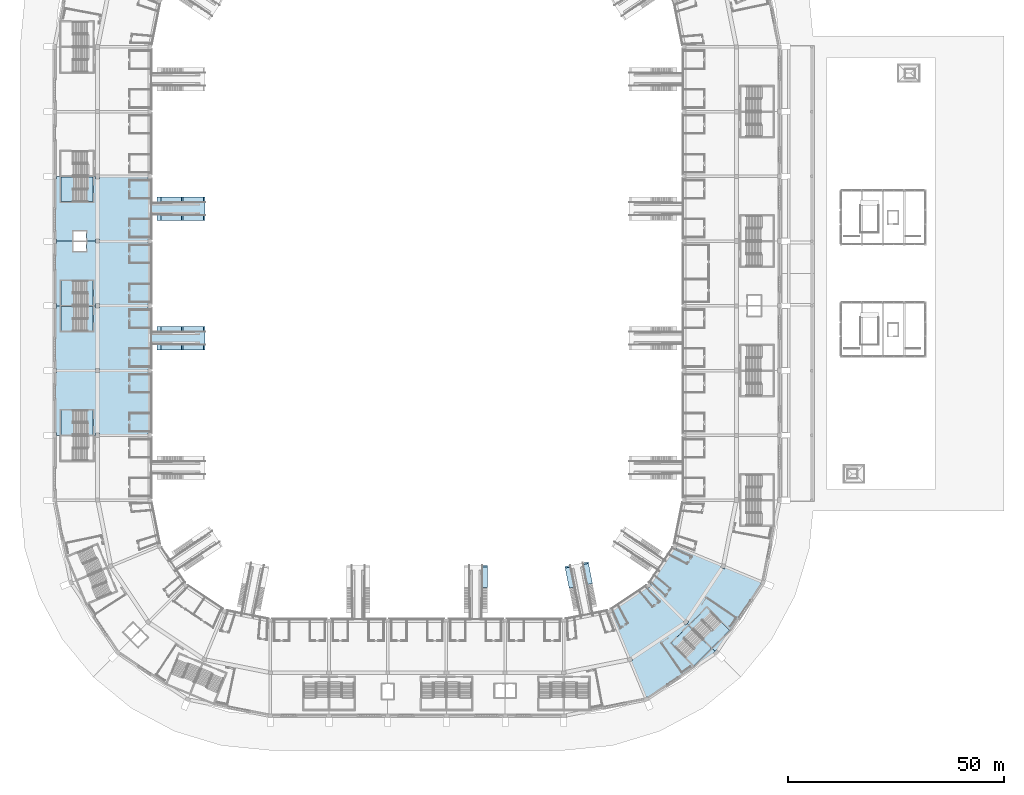
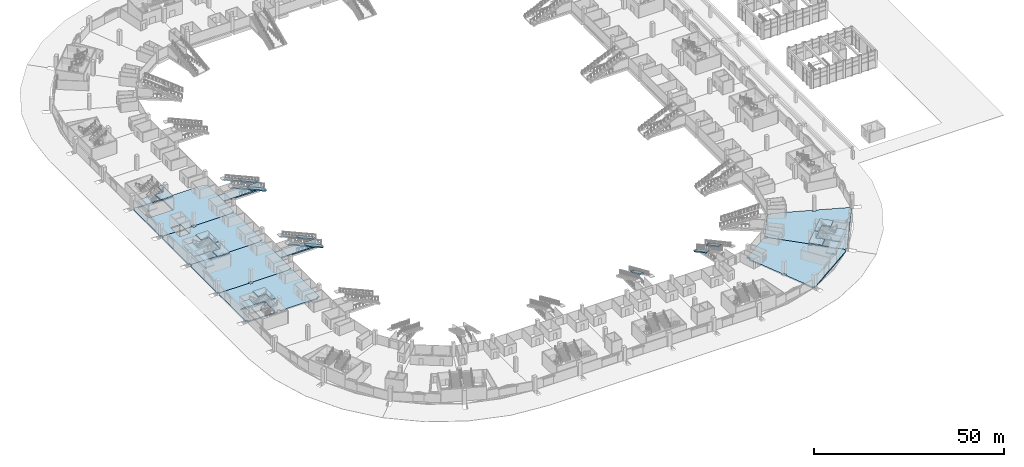
# One storey, part 16 of 175: 31 slabs, 6 elements without a shape of their own.
"""IFC4 building model written with IfcOpenShell, lengths in metres."""

from ifc_helpers import new_model, si_unit, direction, frame, origin, place, context, subcontext, project, spatial, polyline, outline, extrude, material, layer, layer_set, type_object, element, aggregate, save


model = new_model("IFC4")

# Units and contexts
model_context = context("Model", 3, precision=1e-05, world=origin(), true_north=direction((0.0, 1.0)))
body_context = subcontext(model_context, "Body", "Model", "MODEL_VIEW")
ifc_project = project(units=[si_unit("LENGTHUNIT", "METRE"), si_unit("AREAUNIT", "SQUARE_METRE"), si_unit("VOLUMEUNIT", "CUBIC_METRE"), si_unit("PLANEANGLEUNIT", "RADIAN"), si_unit("MASSUNIT", "GRAM", prefix="KILO")], contexts=[model_context])

# Site, building, storey
site_placement = place(None, origin())
site = spatial("IfcSite", under=ifc_project, at=site_placement, CompositionType="ELEMENT")
building_placement = place(site_placement, origin())
building = spatial("IfcBuilding", under=site, at=building_placement, Name="Ogive Plaza Stadium", CompositionType="ELEMENT")
storey_placement = place(building_placement, origin())
storey = spatial("IfcBuildingStorey", under=building, at=storey_placement, Name="L00", CompositionType="ELEMENT", Elevation=0.0)

# Slabs
ifc_material_1 = material(Name="Concrete C40/50", Category="concrete")
ifc_layer_1 = layer(ifc_material_1, 0.52587890625)
ifc_layer_set_1 = layer_set([ifc_layer_1], Name="Concrete C40/50")
ifc_layer_2 = layer(ifc_material_1, 0.449951171875)
ifc_layer_set_2 = layer_set([ifc_layer_2], Name="Concrete C40/50")
slab_type_1 = type_object("IfcSlabType", Name="Aisle stair slab 1300", PredefinedType="USERDEFINED", material=ifc_layer_set_2)
for number, where, z_axis, x_axis, name in (
    (1, (34.87109375, -67.7734375, 0.0), (0.0, 0.0, 1.0), (0.195090322016, -0.980785280403, 0.0), "Aisle stair SA11L slab 1"),
    (2, (39.0400390625, -66.9443359375, 0.0), (0.0, 0.0, 1.0), (0.195090322016, -0.980785280403, 0.0), "Aisle stair SA11R slab 1"),
    (3, (15.725341796875, -67.64990234375, 0.0), (0.0, 0.0, 1.0), (0.0, -1.0, 0.0), "Aisle stair SA13R slab 1"),
    (4, (-49.14990234375, -12.874755859375, 0.0), (0.0, 0.0, 1.0), (-1.0, 0.0, 0.0), "Aisle stair SA23L slab 1"),
):
    element("IfcSlab", number, at=place(storey_placement, frame(where, z_axis=z_axis, x_axis=x_axis)), inside=storey, type_object=slab_type_1, material=ifc_layer_set_1, Name=name, ObjectType="AISLE STAIR SLAB", PredefinedType="USERDEFINED", context=body_context, shape_type="SweptSolid", body=[
        extrude(outline(polyline([(0.0, 0.0), (0.37158203125, 0.0), (5.10009765625, 2.086181640625), (5.10009765625, 1.675048828125), (5.01220703125, 1.63623046875), (4.8623046875, 1.570068359375), (4.71240234375, 1.50390625), (4.562255859375, 1.437744140625), (4.412353515625, 1.37158203125), (4.26220703125, 1.305419921875), (4.1123046875, 1.2392578125), (3.96240234375, 1.173095703125), (3.812255859375, 1.10693359375), (3.662353515625, 1.040771484375), (3.51220703125, 0.974609375), (3.3623046875, 0.908447265625), (3.21240234375, 0.84228515625), (3.062255859375, 0.77587890625), (2.912353515625, 0.709716796875), (2.76220703125, 0.643798828125), (2.6123046875, 0.577392578125), (2.46240234375, 0.51123046875), (2.312255859375, 0.445068359375), (2.162353515625, 0.37890625), (2.01220703125, 0.312744140625), (1.8623046875, 0.24658203125), (1.71240234375, 0.180419921875), (1.562255859375, 0.1142578125), (1.412353515625, 0.048095703125), (1.26220703125, -0.01806640625), (1.1123046875, -0.084228515625), (0.96240234375, -0.150390625), (0.812255859375, -0.216552734375), (0.662353515625, -0.28271484375), (0.51220703125, -0.34912109375), (0.3623046875, -0.415283203125), (0.21240234375, -0.481201171875), (0.0, 0.0)])), frame((0.0, 0.624755859375, 0.0), z_axis=(0.0, -1.0, 0.0), x_axis=(1.0, 0.0, 0.0)), (0.0, 0.0, 1.0), 1.24951171875),
    ])
ifc_layer_3 = layer(ifc_material_1, 0.82373046875)
ifc_layer_set_3 = layer_set([ifc_layer_3], Name="Concrete C40/50")
slab_1_placement = place(storey_placement, frame((-54.25, -12.89990234375, 0.0), z_axis=(0.0, 0.0, 1.0), x_axis=(-1.0, 0.0, 0.0)))
element("IfcSlab", 5, at=slab_1_placement, inside=storey, type_object=slab_type_1, material=ifc_layer_set_3, Name="Aisle stair SA23L slab 2", ObjectType="AISLE STAIR SLAB", PredefinedType="USERDEFINED", context=body_context, shape_type="SweptSolid", body=[
    extrude(outline(polyline([(0.0, 2.25), (0.37158203125, 2.25), (5.10009765625, 4.336181640625), (5.949951171875, 4.336181640625), (5.949951171875, 4.300048828125), (5.85009765625, 4.255859375), (5.699951171875, 4.189697265625), (5.550048828125, 4.12353515625), (5.39990234375, 4.057373046875), (5.25, 3.9912109375), (5.10009765625, 3.925048828125), (4.949951171875, 3.85888671875), (4.800048828125, 3.79248046875), (4.64990234375, 3.7265625), (4.5, 3.660400390625), (4.35009765625, 3.593994140625), (4.199951171875, 3.52783203125), (4.050048828125, 3.4619140625), (3.89990234375, 3.3955078125), (3.75, 3.329345703125), (3.60009765625, 3.26318359375), (3.449951171875, 3.197021484375), (3.300048828125, 3.130859375), (3.14990234375, 3.064697265625), (3.0, 2.99853515625), (2.85009765625, 2.932373046875), (2.699951171875, 2.8662109375), (2.550048828125, 2.800048828125), (2.39990234375, 2.73388671875), (2.25, 2.66748046875), (2.10009765625, 2.6015625), (1.949951171875, 2.535400390625), (1.800048828125, 2.468994140625), (1.64990234375, 2.40283203125), (1.5, 2.3369140625), (1.35009765625, 2.2705078125), (1.199951171875, 2.204345703125), (1.050048828125, 2.13818359375), (0.89990234375, 2.072021484375), (0.75, 2.005859375), (0.60009765625, 1.939697265625), (0.449951171875, 1.87353515625), (0.300048828125, 1.807373046875), (0.14990234375, 1.7412109375), (0.0, 1.675048828125), (0.0, 2.25)])), frame((0.0, 0.64990234375, 0.0), z_axis=(0.0, -1.0, 0.0), x_axis=(1.0, 0.0, 0.0)), (0.0, 0.0, 1.0), 1.300048828125),
])
slab_2_placement = place(storey_placement, frame((-49.14990234375, -17.125244140625, 0.0), z_axis=(0.0, 0.0, 1.0), x_axis=(-1.0, 0.0, 0.0)))
element("IfcSlab", 6, at=slab_2_placement, inside=storey, type_object=slab_type_1, material=ifc_layer_set_1, Name="Aisle stair SA23R slab 1", ObjectType="AISLE STAIR SLAB", PredefinedType="USERDEFINED", context=body_context, shape_type="SweptSolid", body=[
    extrude(outline(polyline([(0.0, 0.0), (0.37158203125, 0.0), (5.10009765625, 2.086181640625), (5.10009765625, 1.675048828125), (5.01220703125, 1.63623046875), (4.8623046875, 1.570068359375), (4.71240234375, 1.50390625), (4.562255859375, 1.437744140625), (4.412353515625, 1.37158203125), (4.26220703125, 1.305419921875), (4.1123046875, 1.2392578125), (3.96240234375, 1.173095703125), (3.812255859375, 1.10693359375), (3.662353515625, 1.040771484375), (3.51220703125, 0.974609375), (3.3623046875, 0.908447265625), (3.21240234375, 0.84228515625), (3.062255859375, 0.77587890625), (2.912353515625, 0.709716796875), (2.76220703125, 0.643798828125), (2.6123046875, 0.577392578125), (2.46240234375, 0.51123046875), (2.312255859375, 0.445068359375), (2.162353515625, 0.37890625), (2.01220703125, 0.312744140625), (1.8623046875, 0.24658203125), (1.71240234375, 0.180419921875), (1.562255859375, 0.1142578125), (1.412353515625, 0.048095703125), (1.26220703125, -0.01806640625), (1.1123046875, -0.084228515625), (0.96240234375, -0.150390625), (0.812255859375, -0.216552734375), (0.662353515625, -0.28271484375), (0.51220703125, -0.34912109375), (0.3623046875, -0.415283203125), (0.21240234375, -0.481201171875), (0.0, 0.0)])), frame((0.0, 0.624755859375, 0.0), z_axis=(0.0, -1.0, 0.0), x_axis=(1.0, 0.0, 0.0)), (0.0, 0.0, 1.0), 1.24951171875),
])
slab_3_placement = place(storey_placement, frame((-54.25, -17.10009765625, 0.0), z_axis=(0.0, 0.0, 1.0), x_axis=(-1.0, 0.0, 0.0)))
element("IfcSlab", 7, at=slab_3_placement, inside=storey, type_object=slab_type_1, material=ifc_layer_set_3, Name="Aisle stair SA23R slab 2", ObjectType="AISLE STAIR SLAB", PredefinedType="USERDEFINED", context=body_context, shape_type="SweptSolid", body=[
    extrude(outline(polyline([(0.0, 2.25), (0.37158203125, 2.25), (5.10009765625, 4.336181640625), (5.949951171875, 4.336181640625), (5.949951171875, 4.300048828125), (5.85009765625, 4.255859375), (5.699951171875, 4.189697265625), (5.550048828125, 4.12353515625), (5.39990234375, 4.057373046875), (5.25, 3.9912109375), (5.10009765625, 3.925048828125), (4.949951171875, 3.85888671875), (4.800048828125, 3.79248046875), (4.64990234375, 3.7265625), (4.5, 3.660400390625), (4.35009765625, 3.593994140625), (4.199951171875, 3.52783203125), (4.050048828125, 3.4619140625), (3.89990234375, 3.3955078125), (3.75, 3.329345703125), (3.60009765625, 3.26318359375), (3.449951171875, 3.197021484375), (3.300048828125, 3.130859375), (3.14990234375, 3.064697265625), (3.0, 2.99853515625), (2.85009765625, 2.932373046875), (2.699951171875, 2.8662109375), (2.550048828125, 2.800048828125), (2.39990234375, 2.73388671875), (2.25, 2.66748046875), (2.10009765625, 2.6015625), (1.949951171875, 2.535400390625), (1.800048828125, 2.468994140625), (1.64990234375, 2.40283203125), (1.5, 2.3369140625), (1.35009765625, 2.2705078125), (1.199951171875, 2.204345703125), (1.050048828125, 2.13818359375), (0.89990234375, 2.072021484375), (0.75, 2.005859375), (0.60009765625, 1.939697265625), (0.449951171875, 1.87353515625), (0.300048828125, 1.807373046875), (0.14990234375, 1.7412109375), (0.0, 1.675048828125), (0.0, 2.25)])), frame((0.0, 0.64990234375, 0.0), z_axis=(0.0, -1.0, 0.0), x_axis=(1.0, 0.0, 0.0)), (0.0, 0.0, 1.0), 1.300048828125),
])
slab_4_placement = place(storey_placement, frame((-49.14990234375, 17.125244140625, 0.0), z_axis=(0.0, 0.0, 1.0), x_axis=(-1.0, 0.0, 0.0)))
element("IfcSlab", 8, at=slab_4_placement, inside=storey, type_object=slab_type_1, material=ifc_layer_set_1, Name="Aisle stair SA25L slab 1", ObjectType="AISLE STAIR SLAB", PredefinedType="USERDEFINED", context=body_context, shape_type="SweptSolid", body=[
    extrude(outline(polyline([(0.0, 0.0), (0.37158203125, 0.0), (5.10009765625, 2.086181640625), (5.10009765625, 1.675048828125), (5.01220703125, 1.63623046875), (4.8623046875, 1.570068359375), (4.71240234375, 1.50390625), (4.562255859375, 1.437744140625), (4.412353515625, 1.37158203125), (4.26220703125, 1.305419921875), (4.1123046875, 1.2392578125), (3.96240234375, 1.173095703125), (3.812255859375, 1.10693359375), (3.662353515625, 1.040771484375), (3.51220703125, 0.974609375), (3.3623046875, 0.908447265625), (3.21240234375, 0.84228515625), (3.062255859375, 0.77587890625), (2.912353515625, 0.709716796875), (2.76220703125, 0.643798828125), (2.6123046875, 0.577392578125), (2.46240234375, 0.51123046875), (2.312255859375, 0.445068359375), (2.162353515625, 0.37890625), (2.01220703125, 0.312744140625), (1.8623046875, 0.24658203125), (1.71240234375, 0.180419921875), (1.562255859375, 0.1142578125), (1.412353515625, 0.048095703125), (1.26220703125, -0.01806640625), (1.1123046875, -0.084228515625), (0.96240234375, -0.150390625), (0.812255859375, -0.216552734375), (0.662353515625, -0.28271484375), (0.51220703125, -0.34912109375), (0.3623046875, -0.415283203125), (0.21240234375, -0.481201171875), (0.0, 0.0)])), frame((0.0, 0.624755859375, 0.0), z_axis=(0.0, -1.0, 0.0), x_axis=(1.0, 0.0, 0.0)), (0.0, 0.0, 1.0), 1.24951171875),
])
slab_5_placement = place(storey_placement, frame((-54.25, 17.10009765625, 0.0), z_axis=(0.0, 0.0, 1.0), x_axis=(-1.0, 0.0, 0.0)))
element("IfcSlab", 9, at=slab_5_placement, inside=storey, type_object=slab_type_1, material=ifc_layer_set_3, Name="Aisle stair SA25L slab 2", ObjectType="AISLE STAIR SLAB", PredefinedType="USERDEFINED", context=body_context, shape_type="SweptSolid", body=[
    extrude(outline(polyline([(0.0, 2.25), (0.37158203125, 2.25), (5.10009765625, 4.336181640625), (5.949951171875, 4.336181640625), (5.949951171875, 4.300048828125), (5.85009765625, 4.255859375), (5.699951171875, 4.189697265625), (5.550048828125, 4.12353515625), (5.39990234375, 4.057373046875), (5.25, 3.9912109375), (5.10009765625, 3.925048828125), (4.949951171875, 3.85888671875), (4.800048828125, 3.79248046875), (4.64990234375, 3.7265625), (4.5, 3.660400390625), (4.35009765625, 3.593994140625), (4.199951171875, 3.52783203125), (4.050048828125, 3.4619140625), (3.89990234375, 3.3955078125), (3.75, 3.329345703125), (3.60009765625, 3.26318359375), (3.449951171875, 3.197021484375), (3.300048828125, 3.130859375), (3.14990234375, 3.064697265625), (3.0, 2.99853515625), (2.85009765625, 2.932373046875), (2.699951171875, 2.8662109375), (2.550048828125, 2.800048828125), (2.39990234375, 2.73388671875), (2.25, 2.66748046875), (2.10009765625, 2.6015625), (1.949951171875, 2.535400390625), (1.800048828125, 2.468994140625), (1.64990234375, 2.40283203125), (1.5, 2.3369140625), (1.35009765625, 2.2705078125), (1.199951171875, 2.204345703125), (1.050048828125, 2.13818359375), (0.89990234375, 2.072021484375), (0.75, 2.005859375), (0.60009765625, 1.939697265625), (0.449951171875, 1.87353515625), (0.300048828125, 1.807373046875), (0.14990234375, 1.7412109375), (0.0, 1.675048828125), (0.0, 2.25)])), frame((0.0, 0.64990234375, 0.0), z_axis=(0.0, -1.0, 0.0), x_axis=(1.0, 0.0, 0.0)), (0.0, 0.0, 1.0), 1.300048828125),
])
slab_6_placement = place(storey_placement, frame((-49.14990234375, 12.874755859375, 0.0), z_axis=(0.0, 0.0, 1.0), x_axis=(-1.0, 0.0, 0.0)))
element("IfcSlab", 10, at=slab_6_placement, inside=storey, type_object=slab_type_1, material=ifc_layer_set_1, Name="Aisle stair SA25R slab 1", ObjectType="AISLE STAIR SLAB", PredefinedType="USERDEFINED", context=body_context, shape_type="SweptSolid", body=[
    extrude(outline(polyline([(0.0, 0.0), (0.37158203125, 0.0), (5.10009765625, 2.086181640625), (5.10009765625, 1.675048828125), (5.01220703125, 1.63623046875), (4.8623046875, 1.570068359375), (4.71240234375, 1.50390625), (4.562255859375, 1.437744140625), (4.412353515625, 1.37158203125), (4.26220703125, 1.305419921875), (4.1123046875, 1.2392578125), (3.96240234375, 1.173095703125), (3.812255859375, 1.10693359375), (3.662353515625, 1.040771484375), (3.51220703125, 0.974609375), (3.3623046875, 0.908447265625), (3.21240234375, 0.84228515625), (3.062255859375, 0.77587890625), (2.912353515625, 0.709716796875), (2.76220703125, 0.643798828125), (2.6123046875, 0.577392578125), (2.46240234375, 0.51123046875), (2.312255859375, 0.445068359375), (2.162353515625, 0.37890625), (2.01220703125, 0.312744140625), (1.8623046875, 0.24658203125), (1.71240234375, 0.180419921875), (1.562255859375, 0.1142578125), (1.412353515625, 0.048095703125), (1.26220703125, -0.01806640625), (1.1123046875, -0.084228515625), (0.96240234375, -0.150390625), (0.812255859375, -0.216552734375), (0.662353515625, -0.28271484375), (0.51220703125, -0.34912109375), (0.3623046875, -0.415283203125), (0.21240234375, -0.481201171875), (0.0, 0.0)])), frame((0.0, 0.624755859375, 0.0), z_axis=(0.0, -1.0, 0.0), x_axis=(1.0, 0.0, 0.0)), (0.0, 0.0, 1.0), 1.24951171875),
])
slab_7_placement = place(storey_placement, frame((-54.25, 12.89990234375, 0.0), z_axis=(0.0, 0.0, 1.0), x_axis=(-1.0, 0.0, 0.0)))
element("IfcSlab", 11, at=slab_7_placement, inside=storey, type_object=slab_type_1, material=ifc_layer_set_3, Name="Aisle stair SA25R slab 2", ObjectType="AISLE STAIR SLAB", PredefinedType="USERDEFINED", context=body_context, shape_type="SweptSolid", body=[
    extrude(outline(polyline([(0.0, 2.25), (0.37158203125, 2.25), (5.10009765625, 4.336181640625), (5.949951171875, 4.336181640625), (5.949951171875, 4.300048828125), (5.85009765625, 4.255859375), (5.699951171875, 4.189697265625), (5.550048828125, 4.12353515625), (5.39990234375, 4.057373046875), (5.25, 3.9912109375), (5.10009765625, 3.925048828125), (4.949951171875, 3.85888671875), (4.800048828125, 3.79248046875), (4.64990234375, 3.7265625), (4.5, 3.660400390625), (4.35009765625, 3.593994140625), (4.199951171875, 3.52783203125), (4.050048828125, 3.4619140625), (3.89990234375, 3.3955078125), (3.75, 3.329345703125), (3.60009765625, 3.26318359375), (3.449951171875, 3.197021484375), (3.300048828125, 3.130859375), (3.14990234375, 3.064697265625), (3.0, 2.99853515625), (2.85009765625, 2.932373046875), (2.699951171875, 2.8662109375), (2.550048828125, 2.800048828125), (2.39990234375, 2.73388671875), (2.25, 2.66748046875), (2.10009765625, 2.6015625), (1.949951171875, 2.535400390625), (1.800048828125, 2.468994140625), (1.64990234375, 2.40283203125), (1.5, 2.3369140625), (1.35009765625, 2.2705078125), (1.199951171875, 2.204345703125), (1.050048828125, 2.13818359375), (0.89990234375, 2.072021484375), (0.75, 2.005859375), (0.60009765625, 1.939697265625), (0.449951171875, 1.87353515625), (0.300048828125, 1.807373046875), (0.14990234375, 1.7412109375), (0.0, 1.675048828125), (0.0, 2.25)])), frame((0.0, 0.64990234375, 0.0), z_axis=(0.0, -1.0, 0.0), x_axis=(1.0, 0.0, 0.0)), (0.0, 0.0, 1.0), 1.300048828125),
])
ifc_material_2 = material(Name="Concrete C40/50", Category="concrete")
ifc_layer_4 = layer(ifc_material_2, 0.409912109375)
ifc_layer_set_4 = layer_set([ifc_layer_4], Name="Concrete C40/50")
slab_type_2 = type_object("IfcSlabType", Name="RC floor slab 410", PredefinedType="FLOOR", material=ifc_layer_set_4)
slab_8_placement = place(storey_placement, frame((0.0, 0.0, -0.409912109375)))
element("IfcSlab", 12, at=slab_8_placement, inside=storey, type_object=slab_type_2, Name="Floor slab L00 B09", PredefinedType="FLOOR", context=body_context, shape_type="SweptSolid", body=[
    extrude(outline(polyline([(61.966064453125, -80.466064453125), (62.319580078125, -80.112548828125), (62.9560546875, -80.7490234375), (62.6025390625, -81.1025390625), (69.037109375, -87.537109375), (69.426025390625, -87.148193359375), (69.6669921875, -87.38916015625), (79.88232421875, -72.100341796875), (79.56787109375, -71.97021484375), (79.7783203125, -71.4619140625), (71.370849609375, -67.9794921875), (71.1796875, -68.44140625), (70.34814453125, -68.09716796875), (70.53955078125, -67.635009765625), (60.145751953125, -63.329833984375), (59.9736328125, -63.74560546875), (59.234375, -63.439453125), (59.40673828125, -63.023681640625), (53.445556640625, -71.945556640625), (53.763671875, -71.627197265625), (54.329345703125, -72.19287109375), (54.01123046875, -72.51123046875), (61.966064453125, -80.466064453125)])), origin(), (0.0, 0.0, 1.0), 0.409912109375),
])
slab_9_placement = place(storey_placement, frame((0.0, 0.0, -0.409912109375)))
element("IfcSlab", 13, at=slab_9_placement, inside=storey, type_object=slab_type_2, Name="Floor slab L00 B10", PredefinedType="FLOOR", context=body_context, shape_type="SweptSolid", body=[
    extrude(outline(polyline([(49.135009765625, -89.03955078125), (49.59716796875, -88.84814453125), (49.94140625, -89.6796875), (49.4794921875, -89.870849609375), (52.9619140625, -98.2783203125), (53.47021484375, -98.06787109375), (53.600341796875, -98.38232421875), (68.88916015625, -88.1669921875), (68.648193359375, -87.926025390625), (69.037109375, -87.537109375), (62.6025390625, -81.1025390625), (62.2490234375, -81.4560546875), (61.612548828125, -80.819580078125), (61.966064453125, -80.466064453125), (54.01123046875, -72.51123046875), (53.69287109375, -72.829345703125), (53.127197265625, -72.263671875), (53.445556640625, -71.945556640625), (44.523681640625, -77.90673828125), (44.939453125, -77.734375), (45.24560546875, -78.4736328125), (44.829833984375, -78.645751953125), (49.135009765625, -89.03955078125)])), origin(), (0.0, 0.0, 1.0), 0.409912109375),
])
slab_10_placement = place(storey_placement, frame((0.0, 0.0, -0.409912109375)))
element("IfcSlab", 14, at=slab_10_placement, inside=storey, type_object=slab_type_2, Name="Floor slab L00 B22", PredefinedType="FLOOR", context=body_context, shape_type="SweptSolid", body=[
    extrude(outline(polyline([(-73.550048828125, -22.5), (-73.550048828125, -22.949951171875), (-74.449951171875, -22.949951171875), (-74.449951171875, -22.5), (-83.550048828125, -22.5), (-83.550048828125, -23.0), (-84.0, -23.0), (-84.0, -36.89990234375), (-83.550048828125, -36.89990234375), (-83.550048828125, -37.5), (-74.449951171875, -37.5), (-74.449951171875, -36.949951171875), (-73.550048828125, -36.949951171875), (-73.550048828125, -37.5), (-62.300048828125, -37.5), (-62.300048828125, -37.0), (-61.5, -37.0), (-61.5, -22.89990234375), (-62.300048828125, -22.89990234375), (-62.300048828125, -22.5), (-73.550048828125, -22.5)]), holes=[polyline([(-75.050048828125, -37.375), (-75.050048828125, -31.675048828125), (-82.510009765625, -31.675048828125), (-82.510009765625, -37.375), (-75.050048828125, -37.375)])]), origin(), (0.0, 0.0, 1.0), 0.409912109375),
])
slab_11_placement = place(storey_placement, frame((0.0, 0.0, -0.409912109375)))
element("IfcSlab", 15, at=slab_11_placement, inside=storey, type_object=slab_type_2, Name="Floor slab L00 B23", PredefinedType="FLOOR", context=body_context, shape_type="SweptSolid", body=[
    extrude(outline(polyline([(-73.550048828125, -7.5), (-73.550048828125, -8.050048828125), (-74.449951171875, -8.050048828125), (-74.449951171875, -7.5), (-83.550048828125, -7.5), (-83.550048828125, -8.10009765625), (-84.0, -8.10009765625), (-84.0, -22.0), (-83.550048828125, -22.0), (-83.550048828125, -22.5), (-74.449951171875, -22.5), (-74.449951171875, -22.050048828125), (-73.550048828125, -22.050048828125), (-73.550048828125, -22.5), (-62.300048828125, -22.5), (-62.300048828125, -22.10009765625), (-61.5, -22.10009765625), (-61.5, -8.0), (-62.300048828125, -8.0), (-62.300048828125, -7.5), (-73.550048828125, -7.5)])), origin(), (0.0, 0.0, 1.0), 0.409912109375),
])
slab_12_placement = place(storey_placement, frame((0.0, 0.0, -0.409912109375)))
element("IfcSlab", 16, at=slab_12_placement, inside=storey, type_object=slab_type_2, Name="Floor slab L00 B24", PredefinedType="FLOOR", context=body_context, shape_type="SweptSolid", body=[
    extrude(outline(polyline([(-73.550048828125, 7.5), (-73.550048828125, 7.050048828125), (-74.449951171875, 7.050048828125), (-74.449951171875, 7.5), (-83.550048828125, 7.5), (-83.550048828125, 7.0), (-84.0, 7.0), (-84.0, -6.89990234375), (-83.550048828125, -6.89990234375), (-83.550048828125, -7.5), (-74.449951171875, -7.5), (-74.449951171875, -6.949951171875), (-73.550048828125, -6.949951171875), (-73.550048828125, -7.5), (-62.300048828125, -7.5), (-62.300048828125, -7.0), (-61.5, -7.0), (-61.5, 7.10009765625), (-62.300048828125, 7.10009765625), (-62.300048828125, 7.5), (-73.550048828125, 7.5)]), holes=[polyline([(-76.64990234375, 5.175048828125), (-76.64990234375, 7.375), (-79.64990234375, 7.375), (-79.64990234375, 5.175048828125), (-76.64990234375, 5.175048828125)])]), origin(), (0.0, 0.0, 1.0), 0.409912109375),
])
slab_13_placement = place(storey_placement, frame((0.0, 0.0, -0.409912109375)))
element("IfcSlab", 17, at=slab_13_placement, inside=storey, type_object=slab_type_2, Name="Floor slab L00 B25", PredefinedType="FLOOR", context=body_context, shape_type="SweptSolid", body=[
    extrude(outline(polyline([(-73.550048828125, 22.5), (-73.550048828125, 21.949951171875), (-74.449951171875, 21.949951171875), (-74.449951171875, 22.5), (-83.550048828125, 22.5), (-83.550048828125, 21.89990234375), (-84.0, 21.89990234375), (-84.0, 8.0), (-83.550048828125, 8.0), (-83.550048828125, 7.5), (-74.449951171875, 7.5), (-74.449951171875, 7.949951171875), (-73.550048828125, 7.949951171875), (-73.550048828125, 7.5), (-62.300048828125, 7.5), (-62.300048828125, 7.89990234375), (-61.5, 7.89990234375), (-61.5, 22.0), (-62.300048828125, 22.0), (-62.300048828125, 22.5), (-73.550048828125, 22.5)]), holes=[polyline([(-76.64990234375, 9.824951171875), (-79.64990234375, 9.824951171875), (-79.64990234375, 7.625), (-76.64990234375, 7.625), (-76.64990234375, 9.824951171875)]), polyline([(-75.050048828125, 22.375), (-82.510009765625, 22.375), (-82.510009765625, 16.675048828125), (-75.050048828125, 16.675048828125), (-75.050048828125, 22.375)])]), origin(), (0.0, 0.0, 1.0), 0.409912109375),
])

# Stair, slabs
ifc_material_3 = material(Name="Concrete C40/50", Category="concrete")
stair_type = type_object("IfcStairType", Name="Exit stair", PredefinedType="STRAIGHT_RUN_STAIR", material=ifc_material_3)
stair_1_placement = place(storey_placement, origin())
stair_1 = element("IfcStair", 18, at=stair_1_placement, inside=storey, type_object=stair_type, Name="Exit stair ST10A L00 to L01", PredefinedType="STRAIGHT_RUN_STAIR")
ifc_material_4 = material(Name="Concrete C40/50", Category="concrete")
ifc_layer_5 = layer(ifc_material_4, 0.39990234375)
ifc_layer_set_5 = layer_set([ifc_layer_5], Name="Concrete C40/50")
slab_type_3 = type_object("IfcSlabType", Name="Stair landing", PredefinedType="LANDING", material=ifc_layer_set_5)
slab_14_placement = place(storey_placement, frame((0.0, 0.0, 1.85009765625)))
slab_14 = element("IfcSlab", 19, at=slab_14_placement, type_object=slab_type_3, Name="ST10A landing 1", PredefinedType="LANDING", context=body_context, shape_type="SweptSolid", body=[
    extrude(outline(polyline([(68.21337890625, -86.89013671875), (64.182861328125, -90.920654296875), (62.202880859375, -88.940673828125), (64.253662109375, -86.89013671875), (62.556396484375, -85.193115234375), (64.536376953125, -83.213134765625), (66.2333984375, -84.91015625), (68.21337890625, -86.89013671875)])), origin(), (0.0, 0.0, 1.0), 0.39990234375),
])
slab_15_placement = place(storey_placement, frame((0.0, 0.0, 4.10009765625)))
slab_15 = element("IfcSlab", 20, at=slab_15_placement, type_object=slab_type_3, Name="ST10A landing 2", PredefinedType="LANDING", context=body_context, shape_type="SweptSolid", body=[
    extrude(outline(polyline([(63.504150390625, -86.281982421875), (61.524169921875, -88.261962890625), (59.8271484375, -86.56494140625), (58.90771484375, -85.645751953125), (62.938232421875, -81.615234375), (63.857666015625, -82.534423828125), (61.806884765625, -84.5849609375), (63.504150390625, -86.281982421875)])), origin(), (0.0, 0.0, 1.0), 0.39990234375),
])
aggregate(stair_1, [slab_14, slab_15])

stair_2_placement = place(storey_placement, origin())
stair_2 = element("IfcStair", 21, at=stair_2_placement, inside=storey, type_object=stair_type, Name="Exit stair ST10B L00 to L01", PredefinedType="STRAIGHT_RUN_STAIR")
slab_16_placement = place(storey_placement, frame((0.0, 0.0, 1.85009765625)))
slab_16 = element("IfcSlab", 22, at=slab_16_placement, type_object=slab_type_3, Name="ST10B landing 1", PredefinedType="LANDING", context=body_context, shape_type="SweptSolid", body=[
    extrude(outline(polyline([(64.713134765625, -83.036376953125), (66.693115234375, -81.056396484375), (68.39013671875, -82.753662109375), (70.440673828125, -80.702880859375), (72.420654296875, -82.682861328125), (68.39013671875, -86.71337890625), (66.41015625, -84.7333984375), (64.713134765625, -83.036376953125)])), origin(), (0.0, 0.0, 1.0), 0.39990234375),
])
slab_17_placement = place(storey_placement, frame((0.0, 0.0, 4.10009765625)))
slab_17 = element("IfcSlab", 23, at=slab_17_placement, type_object=slab_type_3, Name="ST10B landing 2", PredefinedType="LANDING", context=body_context, shape_type="SweptSolid", body=[
    extrude(outline(polyline([(64.034423828125, -82.357666015625), (63.115234375, -81.438232421875), (67.145751953125, -77.40771484375), (68.06494140625, -78.3271484375), (69.761962890625, -80.024169921875), (67.781982421875, -82.004150390625), (66.0849609375, -80.306884765625), (64.034423828125, -82.357666015625)])), origin(), (0.0, 0.0, 1.0), 0.39990234375),
])
aggregate(stair_2, [slab_16, slab_17])

stair_3_placement = place(storey_placement, origin())
stair_3 = element("IfcStair", 24, at=stair_3_placement, inside=storey, type_object=stair_type, Name="Exit stair ST22A L00 to L01", PredefinedType="STRAIGHT_RUN_STAIR")
slab_18_placement = place(storey_placement, frame((0.0, 0.0, 1.85009765625)))
slab_18 = element("IfcSlab", 25, at=slab_18_placement, type_object=slab_type_3, Name="ST22A landing 1", PredefinedType="LANDING", context=body_context, shape_type="SweptSolid", body=[
    extrude(outline(polyline([(-82.510009765625, -37.375), (-82.510009765625, -31.675048828125), (-79.7099609375, -31.675048828125), (-79.7099609375, -34.574951171875), (-77.31005859375, -34.574951171875), (-77.31005859375, -37.375), (-79.7099609375, -37.375), (-82.510009765625, -37.375)])), origin(), (0.0, 0.0, 1.0), 0.39990234375),
])
slab_19_placement = place(storey_placement, frame((0.0, 0.0, 4.10009765625)))
slab_19 = element("IfcSlab", 26, at=slab_19_placement, type_object=slab_type_3, Name="ST22A landing 2", PredefinedType="LANDING", context=body_context, shape_type="SweptSolid", body=[
    extrude(outline(polyline([(-78.75, -34.47509765625), (-78.75, -31.675048828125), (-76.35009765625, -31.675048828125), (-75.050048828125, -31.675048828125), (-75.050048828125, -37.375), (-76.35009765625, -37.375), (-76.35009765625, -34.47509765625), (-78.75, -34.47509765625)])), origin(), (0.0, 0.0, 1.0), 0.39990234375),
])
aggregate(stair_3, [slab_18, slab_19])

stair_4_placement = place(storey_placement, origin())
stair_4 = element("IfcStair", 27, at=stair_4_placement, inside=storey, type_object=stair_type, Name="Exit stair ST24A L00 to L01", PredefinedType="STRAIGHT_RUN_STAIR")
slab_20_placement = place(storey_placement, frame((0.0, 0.0, 1.85009765625)))
slab_20 = element("IfcSlab", 28, at=slab_20_placement, type_object=slab_type_3, Name="ST24A landing 1", PredefinedType="LANDING", context=body_context, shape_type="SweptSolid", body=[
    extrude(outline(polyline([(-82.510009765625, -7.375), (-82.510009765625, -1.675048828125), (-79.7099609375, -1.675048828125), (-79.7099609375, -4.574951171875), (-77.31005859375, -4.574951171875), (-77.31005859375, -7.375), (-79.7099609375, -7.375), (-82.510009765625, -7.375)])), origin(), (0.0, 0.0, 1.0), 0.39990234375),
])
slab_21_placement = place(storey_placement, frame((0.0, 0.0, 4.10009765625)))
slab_21 = element("IfcSlab", 29, at=slab_21_placement, type_object=slab_type_3, Name="ST24A landing 2", PredefinedType="LANDING", context=body_context, shape_type="SweptSolid", body=[
    extrude(outline(polyline([(-78.75, -4.47509765625), (-78.75, -1.675048828125), (-76.35009765625, -1.675048828125), (-75.050048828125, -1.675048828125), (-75.050048828125, -7.375), (-76.35009765625, -7.375), (-76.35009765625, -4.47509765625), (-78.75, -4.47509765625)])), origin(), (0.0, 0.0, 1.0), 0.39990234375),
])
aggregate(stair_4, [slab_20, slab_21])

stair_5_placement = place(storey_placement, origin())
stair_5 = element("IfcStair", 30, at=stair_5_placement, inside=storey, type_object=stair_type, Name="Exit stair ST24B L00 to L01", PredefinedType="STRAIGHT_RUN_STAIR")
slab_22_placement = place(storey_placement, frame((0.0, 0.0, 1.85009765625)))
slab_22 = element("IfcSlab", 31, at=slab_22_placement, type_object=slab_type_3, Name="ST24B landing 1", PredefinedType="LANDING", context=body_context, shape_type="SweptSolid", body=[
    extrude(outline(polyline([(-77.31005859375, -7.625), (-77.31005859375, -10.425048828125), (-79.7099609375, -10.425048828125), (-79.7099609375, -13.324951171875), (-82.510009765625, -13.324951171875), (-82.510009765625, -7.625), (-79.7099609375, -7.625), (-77.31005859375, -7.625)])), origin(), (0.0, 0.0, 1.0), 0.39990234375),
])
slab_23_placement = place(storey_placement, frame((0.0, 0.0, 4.10009765625)))
slab_23 = element("IfcSlab", 32, at=slab_23_placement, type_object=slab_type_3, Name="ST24B landing 2", PredefinedType="LANDING", context=body_context, shape_type="SweptSolid", body=[
    extrude(outline(polyline([(-76.35009765625, -7.625), (-75.050048828125, -7.625), (-75.050048828125, -13.324951171875), (-76.35009765625, -13.324951171875), (-78.75, -13.324951171875), (-78.75, -10.52490234375), (-76.35009765625, -10.52490234375), (-76.35009765625, -7.625)])), origin(), (0.0, 0.0, 1.0), 0.39990234375),
])
aggregate(stair_5, [slab_22, slab_23])

stair_6_placement = place(storey_placement, origin())
stair_6 = element("IfcStair", 33, at=stair_6_placement, inside=storey, type_object=stair_type, Name="Exit stair ST26B L00 to L01", PredefinedType="STRAIGHT_RUN_STAIR")
slab_24_placement = place(storey_placement, frame((0.0, 0.0, 1.85009765625)))
slab_24 = element("IfcSlab", 34, at=slab_24_placement, type_object=slab_type_3, Name="ST26B landing 1", PredefinedType="LANDING", context=body_context, shape_type="SweptSolid", body=[
    extrude(outline(polyline([(-77.31005859375, 22.375), (-77.31005859375, 19.574951171875), (-79.7099609375, 19.574951171875), (-79.7099609375, 16.675048828125), (-82.510009765625, 16.675048828125), (-82.510009765625, 22.375), (-79.7099609375, 22.375), (-77.31005859375, 22.375)])), origin(), (0.0, 0.0, 1.0), 0.39990234375),
])
slab_25_placement = place(storey_placement, frame((0.0, 0.0, 4.10009765625)))
slab_25 = element("IfcSlab", 35, at=slab_25_placement, type_object=slab_type_3, Name="ST26B landing 2", PredefinedType="LANDING", context=body_context, shape_type="SweptSolid", body=[
    extrude(outline(polyline([(-76.35009765625, 22.375), (-75.050048828125, 22.375), (-75.050048828125, 16.675048828125), (-76.35009765625, 16.675048828125), (-78.75, 16.675048828125), (-78.75, 19.47509765625), (-76.35009765625, 19.47509765625), (-76.35009765625, 22.375)])), origin(), (0.0, 0.0, 1.0), 0.39990234375),
])
aggregate(stair_6, [slab_24, slab_25])

# Slabs
ifc_material_5 = material(Name="Concrete C40/50", Category="concrete")
ifc_layer_6 = layer(ifc_material_5, 0.409912109375)
ifc_layer_set_6 = layer_set([ifc_layer_6], Name="Concrete C40/50")
slab_type_4 = type_object("IfcSlabType", Name="Vomitory floor slab 410", PredefinedType="FLOOR", material=ifc_layer_set_6)
slab_26_placement = place(storey_placement, frame((0.0, 0.0, -0.409912109375)))
element("IfcSlab", 36, at=slab_26_placement, inside=storey, type_object=slab_type_4, Name="Vomitory floor B23", PredefinedType="FLOOR", context=body_context, shape_type="SweptSolid", body=[
    extrude(outline(polyline([(-49.14990234375, -13.5), (-49.14990234375, -16.5), (-61.5, -16.5), (-61.5, -13.5), (-49.14990234375, -13.5)])), origin(), (0.0, 0.0, 1.0), 0.409912109375),
])
slab_27_placement = place(storey_placement, frame((0.0, 0.0, -0.409912109375)))
element("IfcSlab", 37, at=slab_27_placement, inside=storey, type_object=slab_type_4, Name="Vomitory floor B25", PredefinedType="FLOOR", context=body_context, shape_type="SweptSolid", body=[
    extrude(outline(polyline([(-49.14990234375, 16.5), (-49.14990234375, 13.5), (-61.5, 13.5), (-61.5, 16.5), (-49.14990234375, 16.5)])), origin(), (0.0, 0.0, 1.0), 0.409912109375),
])

save(model, "model.ifc")
